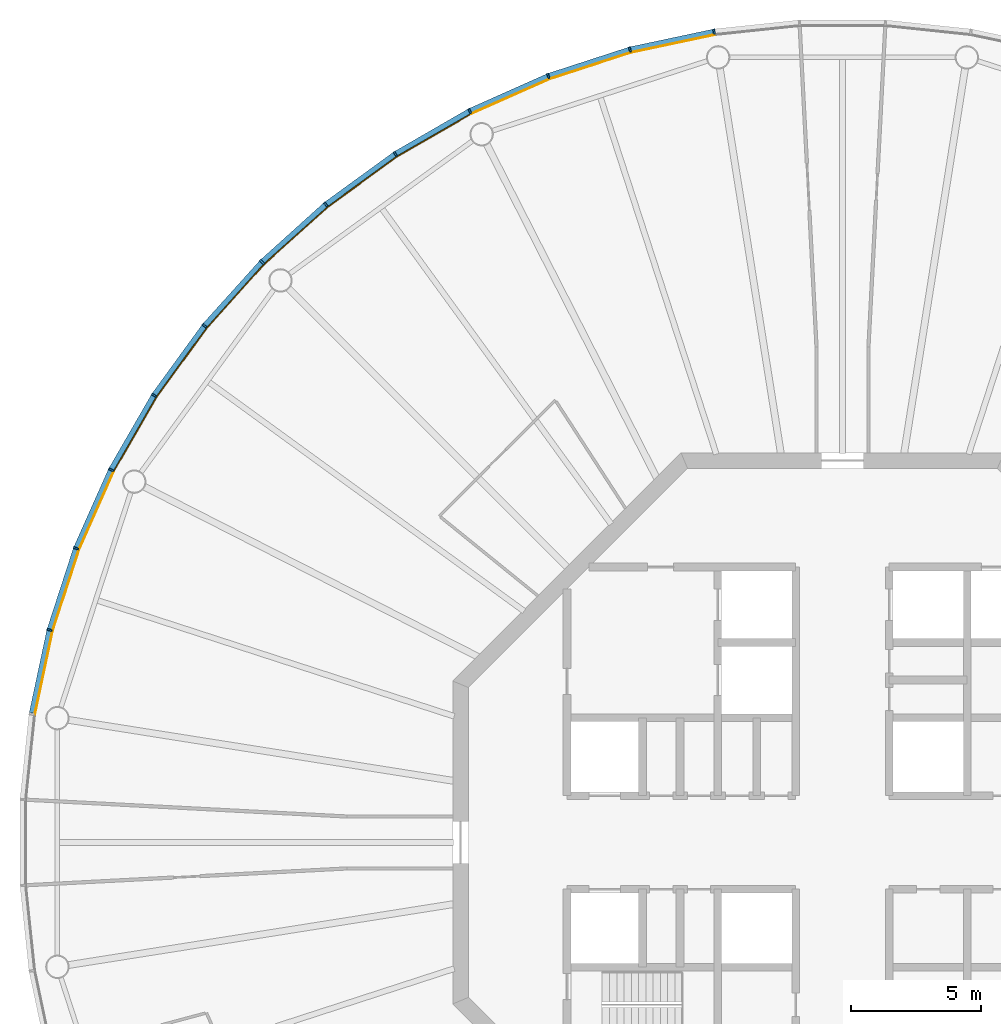
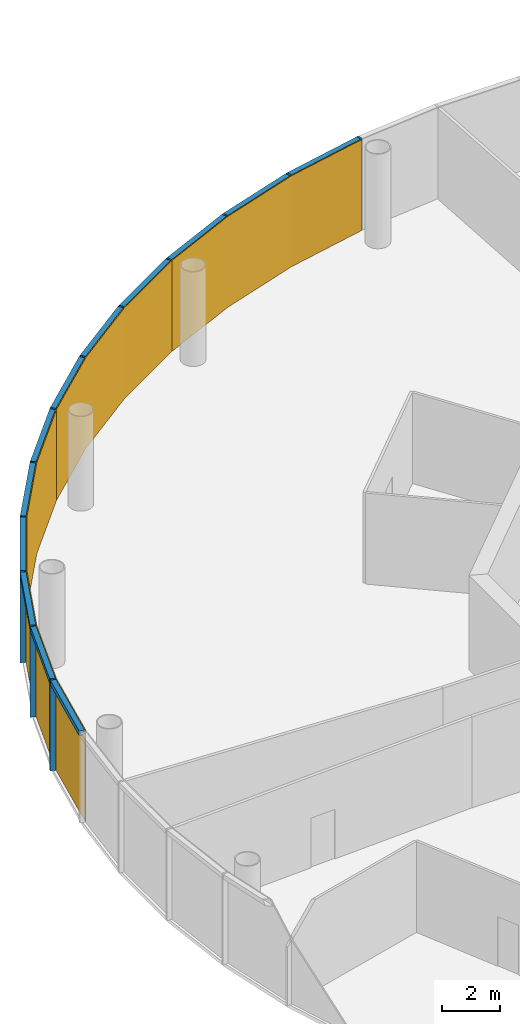
# One storey, part 10 of 13: 24 members, 4 curtain walls.
"""IFC4 building model written with IfcOpenShell, lengths in metres."""

from ifc_helpers import new_model, si_unit, direction, frame, origin, origin_2d, place, context, subcontext, project, spatial, polyline, rectangle, outline, extrude, material, layer, layer_set, material_profile, profile_set, type_object, element, aggregate, save


model = new_model("IFC4")

# Units and contexts
model_context = context("Model", 3, precision=1e-05, world=origin(), true_north=direction((0.0, 1.0)))
body_context = subcontext(model_context, "Body", "Model", "MODEL_VIEW")
ifc_project = project(units=[si_unit("LENGTHUNIT", "METRE"), si_unit("AREAUNIT", "SQUARE_METRE"), si_unit("VOLUMEUNIT", "CUBIC_METRE"), si_unit("PLANEANGLEUNIT", "RADIAN"), si_unit("MASSUNIT", "GRAM", prefix="KILO")], contexts=[model_context])

# Member
ifc_material_1 = material(Name="Anodised aluminium", Category="aluminium")
ifc_material_profile_1 = material_profile(ifc_material_1, rectangle(XDim=0.070068359375, YDim=0.205078125, at=origin_2d()), Name="Mullion 70 x 205 mm anodised aluminium")
ifc_profile_set_1 = profile_set([ifc_material_profile_1], Name="Anodised aluminium")
member_type_1 = type_object("IfcMemberType", Name="Mullion 70 x 205 mm anodised aluminium", PredefinedType="MULLION", material=ifc_profile_set_1)
site_placement = place(None, origin())
building_placement = place(site_placement, origin())
storey_placement = place(building_placement, frame((0.0, 0.0, 380.0)))
member_1_placement = place(storey_placement, frame((85.056396484375, 111.21337890625, 0.0), z_axis=(0.0, 0.0, 1.0), x_axis=(-0.987688340595, -0.15643446504, 0.0)))
member_1 = element("IfcMember", 1, at=member_1_placement, type_object=member_type_1, Name="MULLION L88-15", PredefinedType="MULLION", context=body_context, shape_type="SweptSolid", body=[
    extrude(rectangle(XDim=0.070068359375, YDim=0.205078125, at=origin_2d()), origin(), (0.0, 0.0, 1.0), 3.85009765625),
])

member_2_placement = place(storey_placement, frame((81.820556640625, 110.525634765625, 0.0), z_axis=(0.0, 0.0, 1.0), x_axis=(-0.965925826289, -0.258819045103, 0.0)))
member_2 = element("IfcMember", 2, at=member_2_placement, type_object=member_type_1, Name="MULLION L88-16", PredefinedType="MULLION", context=body_context, shape_type="SweptSolid", body=[
    extrude(rectangle(XDim=0.070068359375, YDim=0.205078125, at=origin_2d()), origin(), (0.0, 0.0, 1.0), 3.85009765625),
])

member_3_placement = place(storey_placement, frame((78.674560546875, 109.50341796875, 0.0), z_axis=(0.0, 0.0, 1.0), x_axis=(-0.933580426497, -0.358367949545, 0.0)))
member_3 = element("IfcMember", 3, at=member_3_placement, type_object=member_type_1, Name="MULLION L88-17", PredefinedType="MULLION", context=body_context, shape_type="SweptSolid", body=[
    extrude(rectangle(XDim=0.070068359375, YDim=0.205078125, at=origin_2d()), origin(), (0.0, 0.0, 1.0), 3.85009765625),
])

member_4_placement = place(storey_placement, frame((75.65283203125, 108.157958984375, 0.0), z_axis=(0.0, 0.0, 1.0), x_axis=(-0.891006524188, -0.45399049974, 0.0)))
member_4 = element("IfcMember", 4, at=member_4_placement, type_object=member_type_1, Name="MULLION L88-18", PredefinedType="MULLION", context=body_context, shape_type="SweptSolid", body=[
    extrude(rectangle(XDim=0.070068359375, YDim=0.205078125, at=origin_2d()), origin(), (0.0, 0.0, 1.0), 3.85009765625),
])

member_5_placement = place(storey_placement, frame((72.7880859375, 106.504150390625, 0.0), z_axis=(0.0, 0.0, 1.0), x_axis=(-0.838670567945, -0.544639035015, 0.0)))
member_5 = element("IfcMember", 5, at=member_5_placement, type_object=member_type_1, Name="MULLION L88-19", PredefinedType="MULLION", context=body_context, shape_type="SweptSolid", body=[
    extrude(rectangle(XDim=0.070068359375, YDim=0.205078125, at=origin_2d()), origin(), (0.0, 0.0, 1.0), 3.85009765625),
])

member_6_placement = place(storey_placement, frame((70.11181640625, 104.559814453125, 0.0), z_axis=(0.0, 0.0, 1.0), x_axis=(-0.777145961457, -0.62932039105, 0.0)))
member_6 = element("IfcMember", 6, at=member_6_placement, type_object=member_type_1, Name="MULLION L88-20", PredefinedType="MULLION", context=body_context, shape_type="SweptSolid", body=[
    extrude(rectangle(XDim=0.070068359375, YDim=0.205078125, at=origin_2d()), origin(), (0.0, 0.0, 1.0), 3.85009765625),
])

member_7_placement = place(storey_placement, frame((67.653564453125, 102.346435546875, 0.0), z_axis=(0.0, 0.0, 1.0), x_axis=(-0.707106781187, -0.707106781187, 0.0)))
member_7 = element("IfcMember", 7, at=member_7_placement, type_object=member_type_1, Name="MULLION L88-21", PredefinedType="MULLION", context=body_context, shape_type="SweptSolid", body=[
    extrude(rectangle(XDim=0.070068359375, YDim=0.205078125, at=origin_2d()), origin(), (0.0, 0.0, 1.0), 3.85009765625),
])

member_8_placement = place(storey_placement, frame((65.440185546875, 99.88818359375, 0.0), z_axis=(0.0, 0.0, 1.0), x_axis=(-0.62932039105, -0.777145961457, 0.0)))
member_8 = element("IfcMember", 8, at=member_8_placement, type_object=member_type_1, Name="MULLION L88-22", PredefinedType="MULLION", context=body_context, shape_type="SweptSolid", body=[
    extrude(rectangle(XDim=0.070068359375, YDim=0.205078125, at=origin_2d()), origin(), (0.0, 0.0, 1.0), 3.85009765625),
])

member_9_placement = place(storey_placement, frame((63.495849609375, 97.2119140625, 0.0), z_axis=(0.0, 0.0, 1.0), x_axis=(-0.544639035015, -0.838670567945, 0.0)))
member_9 = element("IfcMember", 9, at=member_9_placement, type_object=member_type_1, Name="MULLION L88-23", PredefinedType="MULLION", context=body_context, shape_type="SweptSolid", body=[
    extrude(rectangle(XDim=0.070068359375, YDim=0.205078125, at=origin_2d()), origin(), (0.0, 0.0, 1.0), 3.85009765625),
])

member_10_placement = place(storey_placement, frame((61.842041015625, 94.34716796875, 0.0), z_axis=(0.0, 0.0, 1.0), x_axis=(-0.45399049974, -0.891006524188, 0.0)))
member_10 = element("IfcMember", 10, at=member_10_placement, type_object=member_type_1, Name="MULLION L88-24", PredefinedType="MULLION", context=body_context, shape_type="SweptSolid", body=[
    extrude(rectangle(XDim=0.070068359375, YDim=0.205078125, at=origin_2d()), origin(), (0.0, 0.0, 1.0), 3.85009765625),
])

member_11_placement = place(storey_placement, frame((60.49658203125, 91.325439453125, 0.0), z_axis=(0.0, 0.0, 1.0), x_axis=(-0.358367949545, -0.933580426497, 0.0)))
member_11 = element("IfcMember", 11, at=member_11_placement, type_object=member_type_1, Name="MULLION L88-25", PredefinedType="MULLION", context=body_context, shape_type="SweptSolid", body=[
    extrude(rectangle(XDim=0.070068359375, YDim=0.205078125, at=origin_2d()), origin(), (0.0, 0.0, 1.0), 3.85009765625),
])

member_12_placement = place(storey_placement, frame((59.474365234375, 88.179443359375, 0.0), z_axis=(0.0, 0.0, 1.0), x_axis=(-0.258819045103, -0.965925826289, 0.0)))
member_12 = element("IfcMember", 12, at=member_12_placement, type_object=member_type_1, Name="MULLION L88-26", PredefinedType="MULLION", context=body_context, shape_type="SweptSolid", body=[
    extrude(rectangle(XDim=0.070068359375, YDim=0.205078125, at=origin_2d()), origin(), (0.0, 0.0, 1.0), 3.85009765625),
])

ifc_material_2 = material(Name="Anodised aluminium", Category="aluminium")
ifc_material_profile_2 = material_profile(ifc_material_2, rectangle(XDim=0.205078125, YDim=0.195068359375, at=origin_2d()), Name="Transom 195 x 205 mm anodised aluminium")
ifc_profile_set_2 = profile_set([ifc_material_profile_2], Name="Anodised aluminium")
member_type_2 = type_object("IfcMemberType", Name="Transom 195 x 205 mm anodised aluminium", PredefinedType="USERDEFINED", material=ifc_profile_set_2)
member_13_placement = place(storey_placement, frame((85.016845703125, 111.205078125, 3.75244140625), z_axis=(-0.978153082647, -0.207885898771, 0.0), x_axis=(0.207885898771, -0.978153082647, 0.0)))
member_13 = element("IfcMember", 13, at=member_13_placement, type_object=member_type_2, Name="TRANSOM L88-15", ObjectType="TRANSOM", PredefinedType="USERDEFINED", context=body_context, shape_type="SweptSolid", body=[
    extrude(rectangle(XDim=0.205078125, YDim=0.195068359375, at=origin_2d()), origin(), (0.0, 0.0, 1.0), 3.227294921875),
])

member_14_placement = place(storey_placement, frame((81.7822265625, 110.513427734375, 3.75244140625), z_axis=(-0.951046855117, -0.309046726844, 0.0), x_axis=(0.309046726844, -0.951046855117, 0.0)))
member_14 = element("IfcMember", 14, at=member_14_placement, type_object=member_type_2, Name="TRANSOM L88-16", ObjectType="TRANSOM", PredefinedType="USERDEFINED", context=body_context, shape_type="SweptSolid", body=[
    extrude(rectangle(XDim=0.205078125, YDim=0.195068359375, at=origin_2d()), origin(), (0.0, 0.0, 1.0), 3.22705078125),
])

member_15_placement = place(storey_placement, frame((78.6376953125, 109.4873046875, 3.75244140625), z_axis=(-0.913521178731, -0.406791170024, 0.0), x_axis=(0.406791170024, -0.913521178731, 0.0)))
member_15 = element("IfcMember", 15, at=member_15_placement, type_object=member_type_2, Name="TRANSOM L88-17", ObjectType="TRANSOM", PredefinedType="USERDEFINED", context=body_context, shape_type="SweptSolid", body=[
    extrude(rectangle(XDim=0.205078125, YDim=0.195068359375, at=origin_2d()), origin(), (0.0, 0.0, 1.0), 3.22705078125),
])

member_16_placement = place(storey_placement, frame((75.61767578125, 108.137939453125, 3.75244140625), z_axis=(-0.866023062494, -0.500004055213, 0.0), x_axis=(0.500004055213, -0.866023062494, 0.0)))
member_16 = element("IfcMember", 16, at=member_16_placement, type_object=member_type_2, Name="TRANSOM L88-18", ObjectType="TRANSOM", PredefinedType="USERDEFINED", context=body_context, shape_type="SweptSolid", body=[
    extrude(rectangle(XDim=0.205078125, YDim=0.195068359375, at=origin_2d()), origin(), (0.0, 0.0, 1.0), 3.22705078125),
])

member_17_placement = place(storey_placement, frame((72.75537109375, 106.48046875, 3.75244140625), z_axis=(-0.809004252048, -0.587802790201, 0.0), x_axis=(0.587802790201, -0.809004252048, 0.0)))
member_17 = element("IfcMember", 17, at=member_17_placement, type_object=member_type_2, Name="TRANSOM L88-19", ObjectType="TRANSOM", PredefinedType="USERDEFINED", context=body_context, shape_type="SweptSolid", body=[
    extrude(rectangle(XDim=0.205078125, YDim=0.195068359375, at=origin_2d()), origin(), (0.0, 0.0, 1.0), 3.227294921875),
])

member_18_placement = place(storey_placement, frame((70.081787109375, 104.532958984375, 3.75244140625), z_axis=(-0.743132370743, -0.669144438484, 0.0), x_axis=(0.669144438484, -0.743132370743, 0.0)))
member_18 = element("IfcMember", 18, at=member_18_placement, type_object=member_type_2, Name="TRANSOM L88-20", ObjectType="TRANSOM", PredefinedType="USERDEFINED", context=body_context, shape_type="SweptSolid", body=[
    extrude(rectangle(XDim=0.205078125, YDim=0.195068359375, at=origin_2d()), origin(), (0.0, 0.0, 1.0), 3.22705078125),
])

member_19_placement = place(storey_placement, frame((67.62646484375, 102.31640625, 3.75244140625), z_axis=(-0.669144438484, -0.743132370743, 0.0), x_axis=(0.743132370743, -0.669144438484, 0.0)))
member_19 = element("IfcMember", 19, at=member_19_placement, type_object=member_type_2, Name="TRANSOM L88-21", ObjectType="TRANSOM", PredefinedType="USERDEFINED", context=body_context, shape_type="SweptSolid", body=[
    extrude(rectangle(XDim=0.205078125, YDim=0.195068359375, at=origin_2d()), origin(), (0.0, 0.0, 1.0), 3.22705078125),
])

member_20_placement = place(storey_placement, frame((65.41650390625, 99.85546875, 3.75244140625), z_axis=(-0.587802790201, -0.809004252048, 0.0), x_axis=(0.809004252048, -0.587802790201, 0.0)))
member_20 = element("IfcMember", 20, at=member_20_placement, type_object=member_type_2, Name="TRANSOM L88-22", ObjectType="TRANSOM", PredefinedType="USERDEFINED", context=body_context, shape_type="SweptSolid", body=[
    extrude(rectangle(XDim=0.205078125, YDim=0.195068359375, at=origin_2d()), origin(), (0.0, 0.0, 1.0), 3.227294921875),
])

member_21_placement = place(storey_placement, frame((63.4755859375, 97.177001953125, 3.75244140625), z_axis=(-0.500004055213, -0.866023062494, 0.0), x_axis=(0.866023062494, -0.500004055213, 0.0)))
member_21 = element("IfcMember", 21, at=member_21_placement, type_object=member_type_2, Name="TRANSOM L88-23", ObjectType="TRANSOM", PredefinedType="USERDEFINED", context=body_context, shape_type="SweptSolid", body=[
    extrude(rectangle(XDim=0.205078125, YDim=0.195068359375, at=origin_2d()), origin(), (0.0, 0.0, 1.0), 3.22705078125),
])

member_22_placement = place(storey_placement, frame((61.825439453125, 94.310302734375, 3.75244140625), z_axis=(-0.406791170024, -0.913521178731, 0.0), x_axis=(0.913521178731, -0.406791170024, 0.0)))
member_22 = element("IfcMember", 22, at=member_22_placement, type_object=member_type_2, Name="TRANSOM L88-24", ObjectType="TRANSOM", PredefinedType="USERDEFINED", context=body_context, shape_type="SweptSolid", body=[
    extrude(rectangle(XDim=0.205078125, YDim=0.195068359375, at=origin_2d()), origin(), (0.0, 0.0, 1.0), 3.22705078125),
])

member_23_placement = place(storey_placement, frame((60.48388671875, 91.286865234375, 3.75244140625), z_axis=(-0.309046726844, -0.951046855117, 0.0), x_axis=(0.951046855117, -0.309046726844, 0.0)))
member_23 = element("IfcMember", 23, at=member_23_placement, type_object=member_type_2, Name="TRANSOM L88-25", ObjectType="TRANSOM", PredefinedType="USERDEFINED", context=body_context, shape_type="SweptSolid", body=[
    extrude(rectangle(XDim=0.205078125, YDim=0.195068359375, at=origin_2d()), origin(), (0.0, 0.0, 1.0), 3.22705078125),
])

member_24_placement = place(storey_placement, frame((59.4658203125, 88.139892578125, 3.75244140625), z_axis=(-0.207885898771, -0.978153082647, 0.0), x_axis=(0.978153082647, -0.207885898771, 0.0)))
member_24 = element("IfcMember", 24, at=member_24_placement, type_object=member_type_2, Name="TRANSOM L88-26", ObjectType="TRANSOM", PredefinedType="USERDEFINED", context=body_context, shape_type="SweptSolid", body=[
    extrude(rectangle(XDim=0.205078125, YDim=0.195068359375, at=origin_2d()), origin(), (0.0, 0.0, 1.0), 3.227294921875),
])

# Site, building, storey
site = spatial("IfcSite", under=ifc_project, at=site_placement, CompositionType="ELEMENT")
building = spatial("IfcBuilding", under=site, at=building_placement, Name="Entoto Ring Tower", CompositionType="ELEMENT")
storey = spatial("IfcBuildingStorey", under=building, at=storey_placement, Name="L88", CompositionType="ELEMENT", Elevation=380.0)

# Curtain wall
ifc_material_3 = material(Name="Clear low-iron glass", Category="glass")
ifc_layer = layer(ifc_material_3, 0.035888671875)
ifc_layer_set = layer_set([ifc_layer], Name="Clear low-iron glass")
curtain_wall_type = type_object("IfcCurtainWallType", Name="Curtain wall system CW6 glazing 36 mm", PredefinedType="NOTDEFINED", material=ifc_layer_set)
curtain_wall_1_placement = place(storey_placement, origin())
curtain_wall_1 = element("IfcCurtainWall", 25, at=curtain_wall_1_placement, inside=storey, type_object=curtain_wall_type, Name="CW6 L88-06", PredefinedType="NOTDEFINED", context=body_context, shape_type="SweptSolid", body=[
    extrude(outline(polyline([(85.072265625, 111.1123046875), (81.84716796875, 110.4267578125), (78.71142578125, 109.40771484375), (75.69921875, 108.066650390625), (75.715576171875, 108.03466796875), (78.724365234375, 109.3740234375), (81.8564453125, 110.391845703125), (85.077880859375, 111.07666015625), (85.072265625, 111.1123046875)])), origin(), (0.0, 0.0, 1.0), 3.85009765625),
])

aggregate(curtain_wall_1, [member_1, member_2, member_3, member_13, member_14, member_15])

curtain_wall_2_placement = place(storey_placement, origin())
curtain_wall_2 = element("IfcCurtainWall", 26, at=curtain_wall_2_placement, inside=storey, type_object=curtain_wall_type, Name="CW6 L88-07", PredefinedType="NOTDEFINED", context=body_context, shape_type="SweptSolid", body=[
    extrude(outline(polyline([(75.69921875, 108.066650390625), (72.84375, 106.418212890625), (70.176513671875, 104.47998046875), (67.72607421875, 102.27392578125), (67.751708984375, 102.248291015625), (70.198974609375, 104.4521484375), (72.863525390625, 106.387939453125), (75.715576171875, 108.03466796875), (75.69921875, 108.066650390625)])), origin(), (0.0, 0.0, 1.0), 3.85009765625),
])

aggregate(curtain_wall_2, [member_4, member_5, member_6, member_16, member_17, member_18])

curtain_wall_3_placement = place(storey_placement, origin())
curtain_wall_3 = element("IfcCurtainWall", 27, at=curtain_wall_3_placement, inside=storey, type_object=curtain_wall_type, Name="CW6 L88-08", PredefinedType="NOTDEFINED", context=body_context, shape_type="SweptSolid", body=[
    extrude(outline(polyline([(67.72607421875, 102.27392578125), (65.52001953125, 99.823486328125), (63.581787109375, 97.15625), (61.933349609375, 94.30078125), (61.96533203125, 94.284423828125), (63.612060546875, 97.136474609375), (65.5478515625, 99.801025390625), (67.751708984375, 102.248291015625), (67.72607421875, 102.27392578125)])), origin(), (0.0, 0.0, 1.0), 3.85009765625),
])

aggregate(curtain_wall_3, [member_7, member_8, member_9, member_19, member_20, member_21])

curtain_wall_4_placement = place(storey_placement, origin())
curtain_wall_4 = element("IfcCurtainWall", 28, at=curtain_wall_4_placement, inside=storey, type_object=curtain_wall_type, Name="CW6 L88-09", PredefinedType="NOTDEFINED", context=body_context, shape_type="SweptSolid", body=[
    extrude(outline(polyline([(61.933349609375, 94.30078125), (60.59228515625, 91.28857421875), (59.5732421875, 88.15283203125), (58.8876953125, 84.927734375), (58.92333984375, 84.922119140625), (59.608154296875, 88.1435546875), (60.6259765625, 91.275634765625), (61.96533203125, 94.284423828125), (61.933349609375, 94.30078125)])), origin(), (0.0, 0.0, 1.0), 3.85009765625),
])

aggregate(curtain_wall_4, [member_10, member_11, member_12, member_22, member_23, member_24])

save(model, "model.ifc")
